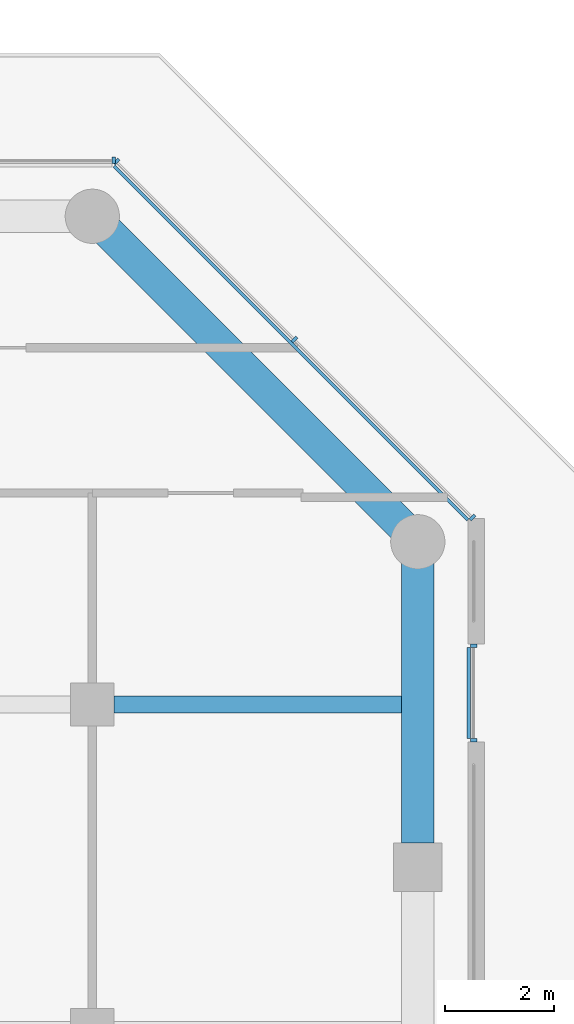
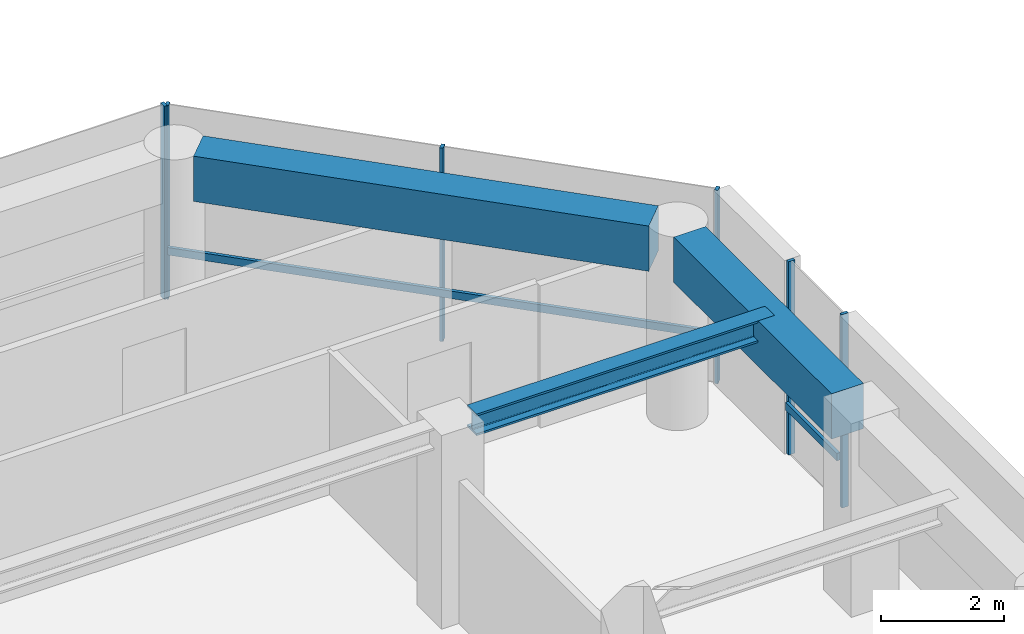
# One storey, part 9 of 24: 8 members, 3 beams, 3 elements without a shape of their own.
"""IFC4 building model written with IfcOpenShell, lengths in metres."""

from ifc_helpers import new_model, si_unit, direction, frame, origin, origin_2d, place, context, subcontext, project, spatial, rectangle, i_section, extrude, material, layer, layer_set, material_profile, profile_set, type_object, element, aggregate, save


model = new_model("IFC4")

# Units and contexts
model_context = context("Model", 3, precision=1e-05, world=origin(), true_north=direction((0.0, 1.0)))
body_context = subcontext(model_context, "Body", "Model", "MODEL_VIEW")
ifc_project = project(units=[si_unit("LENGTHUNIT", "METRE"), si_unit("AREAUNIT", "SQUARE_METRE"), si_unit("VOLUMEUNIT", "CUBIC_METRE"), si_unit("PLANEANGLEUNIT", "RADIAN"), si_unit("MASSUNIT", "GRAM", prefix="KILO")], contexts=[model_context])

# Site, building, storey
site_placement = place(None, origin())
site = spatial("IfcSite", under=ifc_project, at=site_placement, CompositionType="ELEMENT")
building_placement = place(site_placement, origin())
building = spatial("IfcBuilding", under=site, at=building_placement, Name="Welwitschia Terrace Campus", CompositionType="ELEMENT")
storey_placement = place(building_placement, frame((0.0, 0.0, 129.800048828125)))
storey = spatial("IfcBuildingStorey", under=building, at=storey_placement, Name="L29", CompositionType="ELEMENT", Elevation=129.800048828125)

# Beam
ifc_material_1 = material(Name="Steel S355", Category="steel")
ifc_material_profile_1 = material_profile(ifc_material_1, i_section(OverallWidth=0.306884765625, OverallDepth=0.431884765625, WebThickness=0.02099609375, FlangeThickness=0.0400390625, FilletRadius=0.027099609375, at=origin_2d()))
ifc_profile_set_1 = profile_set([ifc_material_profile_1], Name="Steel S355")
beam_type_1 = type_object("IfcBeamType", Name="Interior girder HE 400 M", PredefinedType="BEAM", material=ifc_profile_set_1)
beam_1_placement = place(storey_placement, frame((48.400390625, 19.0, 3.634033203125), z_axis=(1.0, 0.0, 0.0), x_axis=(0.0, 1.0, 0.0)))
element("IfcBeam", 1, at=beam_1_placement, inside=storey, type_object=beam_type_1, Name="Girder GB3", PredefinedType="BEAM", context=body_context, shape_type="SweptSolid", body=[
    extrude(i_section(OverallWidth=0.306884765625, OverallDepth=0.431884765625, WebThickness=0.02099609375, FlangeThickness=0.0400390625, FilletRadius=0.027099609375, at=origin_2d()), origin(), (0.0, 0.0, 1.0), 5.609619140625),
])

# Curtain wall, members
ifc_material_2 = material(Name="Bronze anodised aluminium", Category="aluminium")
ifc_layer = layer(ifc_material_2, 0.1201171875)
ifc_layer_set = layer_set([ifc_layer], Name="Bronze anodised aluminium")
curtain_wall_type = type_object("IfcCurtainWallType", Name="Curtain wall CW2 tower 6000", PredefinedType="NOTDEFINED", material=ifc_layer_set)
curtain_wall_1_placement = place(storey_placement, origin())
curtain_wall_1 = element("IfcCurtainWall", 2, at=curtain_wall_1_placement, inside=storey, type_object=curtain_wall_type, Name="CW L29.6.S0", PredefinedType="NOTDEFINED")
ifc_material_3 = material(Name="Bronze anodised aluminium", Category="aluminium")
ifc_material_profile_2 = material_profile(ifc_material_3, rectangle(XDim=0.1201171875, YDim=0.06005859375, at=origin_2d()))
ifc_profile_set_2 = profile_set([ifc_material_profile_2], Name="Bronze anodised aluminium")
member_type_1 = type_object("IfcMemberType", Name="Mullion 60x120", PredefinedType="MULLION", material=ifc_profile_set_2)
member_1_placement = place(storey_placement, frame((55.030029296875, 18.34326171875, 0.0), z_axis=(0.0, 0.0, 1.0), x_axis=(-1.0, 0.0, 0.0)))
member_1 = element("IfcMember", 3, at=member_1_placement, type_object=member_type_1, Name="Mullion L29.6.S0.0", PredefinedType="MULLION", context=body_context, shape_type="SweptSolid", body=[
    extrude(rectangle(XDim=0.1201171875, YDim=0.06005859375, at=origin_2d()), origin(), (0.0, 0.0, 1.0), 3.849853515625),
])
member_2_placement = place(storey_placement, frame((55.030029296875, 20.083251953125, 0.0), z_axis=(0.0, 0.0, 1.0), x_axis=(-1.0, 0.0, 0.0)))
member_2 = element("IfcMember", 4, at=member_2_placement, type_object=member_type_1, Name="Mullion L29.6.S0.1", PredefinedType="MULLION", context=body_context, shape_type="SweptSolid", body=[
    extrude(rectangle(XDim=0.1201171875, YDim=0.06005859375, at=origin_2d()), origin(), (0.0, 0.0, 1.0), 3.849853515625),
])

curtain_wall_2_placement = place(storey_placement, origin())
curtain_wall_2 = element("IfcCurtainWall", 5, at=curtain_wall_2_placement, inside=storey, type_object=curtain_wall_type, Name="CW L29.7.0", PredefinedType="NOTDEFINED")
member_3_placement = place(storey_placement, frame((55.0087890625, 22.44775390625, 0.0), z_axis=(0.0, 0.0, 1.0), x_axis=(-0.707106781187, -0.707106781187, 0.0)))
member_3 = element("IfcMember", 6, at=member_3_placement, type_object=member_type_1, Name="Mullion L29.7.0.0", PredefinedType="MULLION", context=body_context, shape_type="SweptSolid", body=[
    extrude(rectangle(XDim=0.1201171875, YDim=0.06005859375, at=origin_2d()), origin(), (0.0, 0.0, 1.0), 3.849853515625),
])
member_4_placement = place(storey_placement, frame((51.728271484375, 25.728271484375, 0.0), z_axis=(0.0, 0.0, 1.0), x_axis=(-0.707106781187, -0.707106781187, 0.0)))
member_4 = element("IfcMember", 7, at=member_4_placement, type_object=member_type_1, Name="Mullion L29.7.0.1", PredefinedType="MULLION", context=body_context, shape_type="SweptSolid", body=[
    extrude(rectangle(XDim=0.1201171875, YDim=0.06005859375, at=origin_2d()), origin(), (0.0, 0.0, 1.0), 3.849853515625),
])
member_5_placement = place(storey_placement, frame((48.44775390625, 29.0087890625, 0.0), z_axis=(0.0, 0.0, 1.0), x_axis=(-0.707106781187, -0.707106781187, 0.0)))
member_5 = element("IfcMember", 8, at=member_5_placement, type_object=member_type_1, Name="Mullion L29.7.0.2", PredefinedType="MULLION", context=body_context, shape_type="SweptSolid", body=[
    extrude(rectangle(XDim=0.1201171875, YDim=0.06005859375, at=origin_2d()), origin(), (0.0, 0.0, 1.0), 3.849853515625),
])

# Curtain wall, member
curtain_wall_3_placement = place(storey_placement, origin())
curtain_wall_3 = element("IfcCurtainWall", 9, at=curtain_wall_3_placement, inside=storey, type_object=curtain_wall_type, Name="CW L29.8.0", PredefinedType="NOTDEFINED")
member_6_placement = place(storey_placement, frame((48.396728515625, 29.030029296875, 0.0), z_axis=(0.0, 0.0, 1.0), x_axis=(0.0, -1.0, 0.0)))
member_6 = element("IfcMember", 10, at=member_6_placement, type_object=member_type_1, Name="Mullion L29.8.0.0", PredefinedType="MULLION", context=body_context, shape_type="SweptSolid", body=[
    extrude(rectangle(XDim=0.1201171875, YDim=0.06005859375, at=origin_2d()), origin(), (0.0, 0.0, 1.0), 3.849853515625),
])
aggregate(curtain_wall_3, [member_6])

# Beams
ifc_material_4 = material(Name="Concrete C60/75", Category="concrete")
ifc_material_profile_3 = material_profile(ifc_material_4, rectangle(XDim=0.60009765625, YDim=0.89990234375, at=origin_2d()))
ifc_profile_set_3 = profile_set([ifc_material_profile_3], Name="Concrete C60/75")
beam_type_2 = type_object("IfcBeamType", Name="Ring spandrel 600x900", PredefinedType="SPANDREL", material=ifc_profile_set_3)
beam_2_placement = place(storey_placement, frame((54.0, 16.450439453125, 3.39990234375), z_axis=(0.0, 1.0, 0.0), x_axis=(-1.0, 0.0, 0.0)))
element("IfcBeam", 11, at=beam_2_placement, inside=storey, type_object=beam_type_2, Name="Spandrel SP2", PredefinedType="SPANDREL", context=body_context, shape_type="SweptSolid", body=[
    extrude(rectangle(XDim=0.60009765625, YDim=0.89990234375, at=origin_2d()), origin(), (0.0, 0.0, 1.0), 5.149169921875),
])
beam_3_placement = place(storey_placement, frame((53.716796875, 22.283203125, 3.39990234375), z_axis=(-0.707106781187, 0.707106781187, 0.0), x_axis=(-0.707106781187, -0.707106781187, 0.0)))
element("IfcBeam", 12, at=beam_3_placement, inside=storey, type_object=beam_type_2, Name="Spandrel SP2", PredefinedType="SPANDREL", context=body_context, shape_type="SweptSolid", body=[
    extrude(rectangle(XDim=0.60009765625, YDim=0.89990234375, at=origin_2d()), origin(), (0.0, 0.0, 1.0), 7.684326171875),
])

# Member
ifc_material_5 = material(Name="Bronze anodised aluminium", Category="aluminium")
ifc_material_profile_4 = material_profile(ifc_material_5, rectangle(XDim=0.06005859375, YDim=0.14990234375, at=origin_2d()))
ifc_profile_set_4 = profile_set([ifc_material_profile_4], Name="Bronze anodised aluminium")
member_type_2 = type_object("IfcMemberType", Name="Transom 60x150", PredefinedType="USERDEFINED", material=ifc_profile_set_4)
member_7_placement = place(storey_placement, frame((54.93994140625, 18.373291015625, 1.0), z_axis=(0.0, 1.0, 0.0), x_axis=(-1.0, 0.0, 0.0)))
member_7 = element("IfcMember", 13, at=member_7_placement, type_object=member_type_2, Name="Transom L29.6.S0", ObjectType="TRANSOM", PredefinedType="USERDEFINED", context=body_context, shape_type="SweptSolid", body=[
    extrude(rectangle(XDim=0.06005859375, YDim=0.14990234375, at=origin_2d()), origin(), (0.0, 0.0, 1.0), 1.679931640625),
])

aggregate(curtain_wall_1, [member_1, member_2, member_7])

member_8_placement = place(storey_placement, frame((54.923828125, 22.405517578125, 1.0), z_axis=(-0.707106781187, 0.707106781187, 0.0), x_axis=(-0.707106781187, -0.707106781187, 0.0)))
member_8 = element("IfcMember", 14, at=member_8_placement, type_object=member_type_2, Name="Transom L29.7.0", ObjectType="TRANSOM", PredefinedType="USERDEFINED", context=body_context, shape_type="SweptSolid", body=[
    extrude(rectangle(XDim=0.06005859375, YDim=0.14990234375, at=origin_2d()), origin(), (0.0, 0.0, 1.0), 9.21826171875),
])

aggregate(curtain_wall_2, [member_3, member_4, member_5, member_8])

save(model, "model.ifc")
